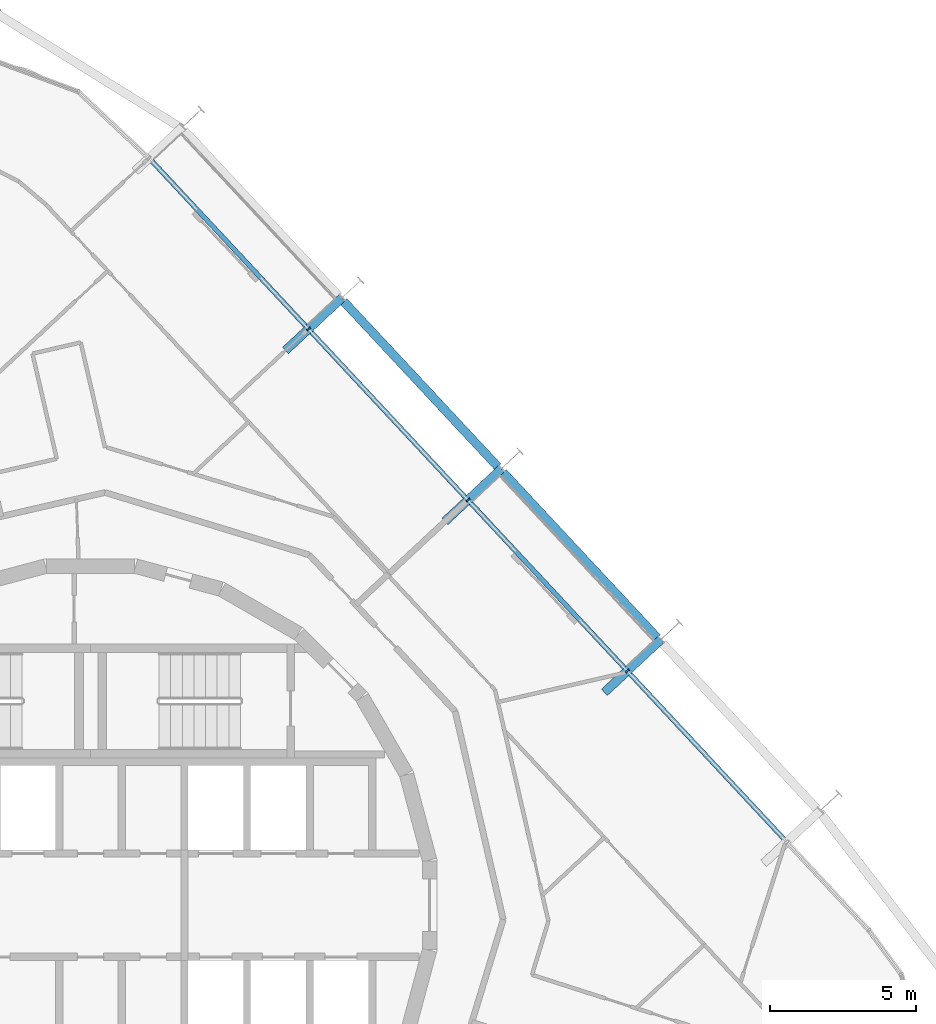
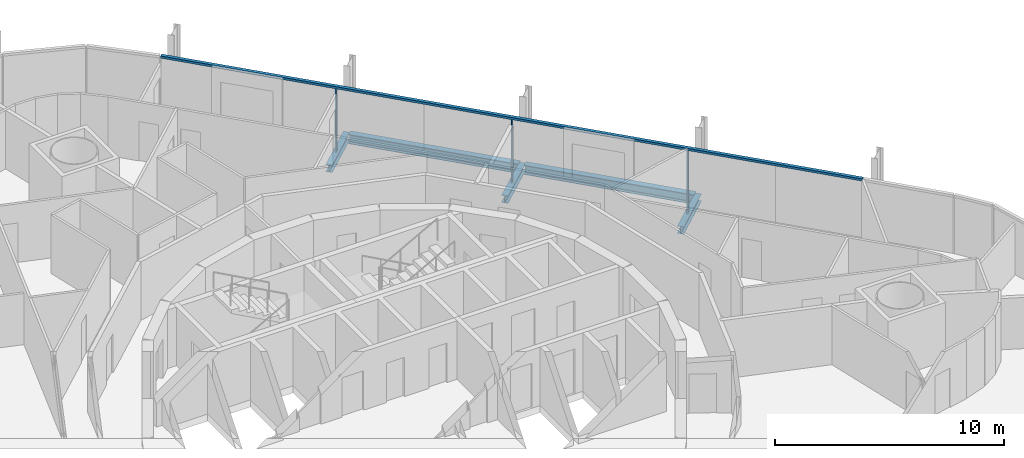
# One storey, part 9 of 18: 5 beams, 4 members, 1 element without a shape of its own.
"""IFC4 building model written with IfcOpenShell, lengths in metres."""

import ifcopenshell
import ifcopenshell.guid

model = None  # the IFC model being written
_history = None  # IfcOwnerHistory: only IFC2X3 demands one
_inside = {}  # id of a spatial element -> (the spatial element, [elements in it])
_under = {}  # id of a project, library or spatial element -> (it, [spatial elements below it])
_declared = {}  # id of a project -> (the project, [libraries it declares])
_typed = {}  # id of a type object -> (the type object, [elements of that type])
_made_of = {}  # id of a material, layer set ... -> (it, [elements and type objects made of it])


def new_model(schema):
    """Start an empty IFC model of exactly this schema.

    Asked for "IFC4X3", IfcOpenShell would pick the latest addendum, in which some entities
    have other attributes; the version numbers below select the first issue.
    IFC2X3 requires an IfcOwnerHistory on every rooted entity: one is made here for all.
    """
    global model, _history
    if schema == "IFC4X3":
        model = ifcopenshell.file(schema_version=(4, 3, 0, 0))
    else:
        model = ifcopenshell.file(schema=schema)
    _inside.clear()
    _under.clear()
    _declared.clear()
    _typed.clear()
    _made_of.clear()
    _history = None
    if model.schema == "IFC2X3":
        org = make("IfcOrganization", Name="unknown")
        user = make(
            "IfcPersonAndOrganization",
            ThePerson=make("IfcPerson", FamilyName="unknown"),
            TheOrganization=org,
        )
        app = make(
            "IfcApplication",
            ApplicationDeveloper=org,
            Version="unknown",
            ApplicationFullName="unknown",
            ApplicationIdentifier="unknown",
        )
        _history = make(
            "IfcOwnerHistory",
            OwningUser=user,
            OwningApplication=app,
            ChangeAction="ADDED",
            CreationDate=0,
        )
    return model


def make(cls, **values):
    """One entity of the class cls with the attributes given. An attribute that is None is left unset."""
    return model.create_entity(
        cls, **{name: value for name, value in values.items() if value is not None}
    )


def rooted(cls, **values):
    """An entity with a GlobalId (a new one), such as an element, a storey or a relation."""
    return make(cls, GlobalId=ifcopenshell.guid.new(), OwnerHistory=_history, **values)


def si_unit(unit_type, name, prefix=None):
    """IfcSIUnit, for example si_unit("LENGTHUNIT", "METRE", prefix="MILLI")."""
    return make("IfcSIUnit", UnitType=unit_type, Prefix=prefix, Name=name)


def assignment(units):
    """IfcUnitAssignment: the units of a project."""
    return None if units is None else make("IfcUnitAssignment", Units=units)


def point(xyz):
    """IfcCartesianPoint."""
    return None if xyz is None else make("IfcCartesianPoint", Coordinates=xyz)


def direction(xyz):
    """IfcDirection."""
    return None if xyz is None else make("IfcDirection", DirectionRatios=xyz)


def frame(location, z_axis=None, x_axis=None):
    """IfcAxis2Placement3D, a coordinate frame: its origin and axes. An axis left out is left unset."""
    return make(
        "IfcAxis2Placement3D",
        Location=point(location),
        Axis=direction(z_axis),
        RefDirection=direction(x_axis),
    )


def frame_2d(location, x_axis=None):
    """IfcAxis2Placement2D, a coordinate frame in the plane: its origin and x axis."""
    return make(
        "IfcAxis2Placement2D", Location=point(location), RefDirection=direction(x_axis)
    )


def origin():
    """The frame at (0, 0, 0) with its axes left unset."""
    return frame((0.0, 0.0, 0.0))


def origin_2d():
    """The frame at (0, 0) in the plane with its x axis left unset."""
    return frame_2d((0.0, 0.0))


def place(relative_to, where):
    """IfcLocalPlacement: puts the frame where relative to a parent placement (None: the world)."""
    return make(
        "IfcLocalPlacement", PlacementRelTo=relative_to, RelativePlacement=where
    )


def context(
    kind, dimensions, precision=None, world=None, true_north=None, identifier=None
):
    """IfcGeometricRepresentationContext, for example the 3D "Model" context."""
    return make(
        "IfcGeometricRepresentationContext",
        ContextIdentifier=identifier,
        ContextType=kind,
        CoordinateSpaceDimension=dimensions,
        Precision=precision,
        WorldCoordinateSystem=world,
        TrueNorth=true_north,
    )


def subcontext(parent, identifier, kind, view, scale=None):
    """IfcGeometricRepresentationSubContext, for example "Body" below "Model"."""
    return make(
        "IfcGeometricRepresentationSubContext",
        ContextIdentifier=identifier,
        ContextType=kind,
        ParentContext=parent,
        TargetScale=scale,
        TargetView=view,
    )


def project(units=None, contexts=None):
    """IfcProject with its units and contexts."""
    return rooted(
        "IfcProject",
        Name="project",
        RepresentationContexts=contexts,
        UnitsInContext=assignment(units),
    )


def spatial(cls, under=None, at=None, **own):
    """A site, building, storey or space (cls), placed at a placement, below another one or the project."""
    s = rooted(cls, ObjectPlacement=at, **own)
    if under is not None:
        _under.setdefault(under.id(), (under, []))[1].append(s)
    return s


def profile(cls, at=None, kind="AREA", **sizes):
    """A parametric profile (cls). Its sizes go by their IFC names, for example OverallWidth=200.0."""
    return make(cls, ProfileType=kind, Position=at, **sizes)


def rectangle(**sizes):
    """IfcRectangleProfileDef."""
    return profile("IfcRectangleProfileDef", **sizes)


def i_section(**sizes):
    """IfcIShapeProfileDef."""
    return profile("IfcIShapeProfileDef", **sizes)


def extrude(swept, where, along, depth):
    """IfcExtrudedAreaSolid: the profile swept, set in the frame where, extruded along a direction by depth."""
    return make(
        "IfcExtrudedAreaSolid",
        SweptArea=swept,
        Position=where,
        ExtrudedDirection=direction(along),
        Depth=depth,
    )


def shape(context_of_items, identifier, shape_type, items):
    """IfcShapeRepresentation: the items that make up one representation, for example the "Body"."""
    return make(
        "IfcShapeRepresentation",
        ContextOfItems=context_of_items,
        RepresentationIdentifier=identifier,
        RepresentationType=shape_type,
        Items=items,
    )


def material(Name=None, Category=None):
    """IfcMaterial."""
    return make("IfcMaterial", Name=Name, Category=Category)


def layer(
    of_material, thickness, ventilated=None, Name=None, Category=None, Priority=None
):
    """IfcMaterialLayer: one layer of a wall or slab, of a material (None: an air gap)."""
    return make(
        "IfcMaterialLayer",
        Material=of_material,
        LayerThickness=thickness,
        IsVentilated=ventilated,
        Name=Name,
        Category=Category,
        Priority=Priority,
    )


def layer_set(layers, Name=None):
    """IfcMaterialLayerSet."""
    return make("IfcMaterialLayerSet", MaterialLayers=layers, LayerSetName=Name)


def material_profile(
    of_material, cross_section, Name=None, Category=None, Priority=None
):
    """IfcMaterialProfile: a cross section and its material."""
    return make(
        "IfcMaterialProfile",
        Name=Name,
        Material=of_material,
        Profile=cross_section,
        Priority=Priority,
        Category=Category,
    )


def profile_set(profiles, Name=None, composite=None):
    """IfcMaterialProfileSet."""
    return make(
        "IfcMaterialProfileSet",
        Name=Name,
        MaterialProfiles=profiles,
        CompositeProfile=composite,
    )


def made_of(thing, what):
    """Note that an element or type object is made of a material, layer set ...; save() writes the relation."""
    if what is not None:
        _made_of.setdefault(what.id(), (what, []))[1].append(thing)
    return thing


def type_object(cls, material=None, **own):
    """A type object (cls), such as IfcWallType, which elements share."""
    return made_of(rooted(cls, **own), material)


def element(
    cls,
    number,
    at=None,
    inside=None,
    cuts=None,
    type_object=None,
    material=None,
    context=None,
    identifier="Body",
    shape_type=None,
    held_by="IfcProductDefinitionShape",
    body=None,
    shapes=None,
    **own,
):
    """One element of the class cls, such as IfcWall. Its Tag is "e" and its number.

    at: its placement. inside: the storey or other place that contains it. cuts: it is an
    opening in that element (IfcRelVoidsElement). A single representation is given by context,
    identifier, shape_type and body (its items); several are given by shapes. held_by: the class
    of the entity that holds the representations. save() writes the other relations.
    """
    e = rooted(cls, Tag="e%d" % number, ObjectPlacement=at, **own)
    if body is not None:
        shapes = [shape(context, identifier, shape_type, body)]
    if shapes is not None:
        e.Representation = make(held_by, Representations=shapes)
    if inside is not None:
        _inside.setdefault(inside.id(), (inside, []))[1].append(e)
    if cuts is not None:
        rooted(
            "IfcRelVoidsElement", RelatingBuildingElement=cuts, RelatedOpeningElement=e
        )
    if type_object is not None:
        _typed.setdefault(type_object.id(), (type_object, []))[1].append(e)
    return made_of(e, material)


def aggregate(whole, parts):
    """IfcRelAggregates: a whole, such as a stair, and the parts it consists of."""
    return rooted("IfcRelAggregates", RelatingObject=whole, RelatedObjects=parts)


def save(model, path):
    """Write the relations noted so far, then the file.

    IfcRelAggregates (storeys below a building ...), IfcRelContainedInSpatialStructure (elements
    in a storey), IfcRelDefinesByType, IfcRelAssociatesMaterial and IfcRelDeclares: one each for
    every whole, place, type object, material and project.
    """
    for whole, parts in _under.values():
        aggregate(whole, parts)
    for where, things in _inside.values():
        rooted(
            "IfcRelContainedInSpatialStructure",
            RelatedElements=things,
            RelatingStructure=where,
        )
    for kind, things in _typed.values():
        rooted("IfcRelDefinesByType", RelatedObjects=things, RelatingType=kind)
    for what, things in _made_of.values():
        rooted("IfcRelAssociatesMaterial", RelatedObjects=things, RelatingMaterial=what)
    for by, libraries in _declared.values():
        rooted("IfcRelDeclares", RelatingContext=by, RelatedDefinitions=libraries)
    model.write(path)


model = new_model("IFC4")

# Units and contexts
model_context = context("Model", 3, precision=1e-05, world=origin(), true_north=direction((0.0, 1.0)))
body_context = subcontext(model_context, "Body", "Model", "MODEL_VIEW")
ifc_project = project(units=[si_unit("LENGTHUNIT", "METRE"), si_unit("AREAUNIT", "SQUARE_METRE"), si_unit("VOLUMEUNIT", "CUBIC_METRE"), si_unit("PLANEANGLEUNIT", "RADIAN"), si_unit("MASSUNIT", "GRAM", prefix="KILO")], contexts=[model_context])

# Site, building, storey
site_placement = place(None, origin())
site = spatial("IfcSite", under=ifc_project, at=site_placement, CompositionType="ELEMENT")
building_placement = place(site_placement, origin())
building = spatial("IfcBuilding", under=site, at=building_placement, Name="Spindle Arch Residences", CompositionType="ELEMENT")
storey_placement = place(building_placement, frame((0.0, 0.0, 120.39990234375)))
storey = spatial("IfcBuildingStorey", under=building, at=storey_placement, Name="L29", CompositionType="ELEMENT", Elevation=120.39990234375)

# Curtain wall, members
ifc_material_1 = material(Name="Aluminium bronze unitised frame with tinted glass", Category="aluminium")
ifc_layer = layer(ifc_material_1, 0.159912109375)
ifc_layer_set = layer_set([ifc_layer], Name="CW-C typical residential unitised wall")
curtain_wall_type = type_object("IfcCurtainWallType", Name="CW-C typical residential unitised wall", PredefinedType="NOTDEFINED", material=ifc_layer_set)
curtain_wall_placement = place(storey_placement, origin())
curtain_wall = element("IfcCurtainWall", 1, at=curtain_wall_placement, inside=storey, type_object=curtain_wall_type, Name="CW-C L29 run 2", PredefinedType="NOTDEFINED")
ifc_material_2 = material(Name="Aluminium bronze anodised mullion", Category="aluminium")
ifc_material_profile_1 = material_profile(ifc_material_2, rectangle(XDim=0.159912109375, YDim=0.06005859375, at=origin_2d()), Name="MU 60x160")
ifc_profile_set_1 = profile_set([ifc_material_profile_1], Name="Aluminium bronze anodised mullion")
member_type_1 = type_object("IfcMemberType", Name="Bronze mullion 60x160", PredefinedType="MULLION", material=ifc_profile_set_1)
member_1_placement = place(storey_placement, frame((18.437744140625, 8.044677734375, -0.3798828125), z_axis=(0.0, 0.0, 1.0), x_axis=(-0.731353701619, -0.681998360062, 0.0)))
member_1 = element("IfcMember", 2, at=member_1_placement, type_object=member_type_1, Name="CW-C mullion 06", PredefinedType="MULLION", context=body_context, shape_type="SweptSolid", body=[
    extrude(rectangle(XDim=0.159912109375, YDim=0.06005859375, at=origin_2d()), origin(), (0.0, 0.0, 1.0), 3.3798828125),
])
member_2_placement = place(storey_placement, frame((12.961669921875, 13.916748046875, -0.3798828125), z_axis=(0.0, 0.0, 1.0), x_axis=(-0.731353701619, -0.681998360062, 0.0)))
member_2 = element("IfcMember", 3, at=member_2_placement, type_object=member_type_1, Name="CW-C mullion 07", PredefinedType="MULLION", context=body_context, shape_type="SweptSolid", body=[
    extrude(rectangle(XDim=0.159912109375, YDim=0.06005859375, at=origin_2d()), origin(), (0.0, 0.0, 1.0), 3.3798828125),
])
member_3_placement = place(storey_placement, frame((7.48583984375, 19.7890625, -0.3798828125), z_axis=(0.0, 0.0, 1.0), x_axis=(-0.731353701619, -0.681998360062, 0.0)))
member_3 = element("IfcMember", 4, at=member_3_placement, type_object=member_type_1, Name="CW-C mullion 08", PredefinedType="MULLION", context=body_context, shape_type="SweptSolid", body=[
    extrude(rectangle(XDim=0.159912109375, YDim=0.06005859375, at=origin_2d()), origin(), (0.0, 0.0, 1.0), 3.3798828125),
])
ifc_material_3 = material(Name="Aluminium bronze anodised transom", Category="aluminium")
ifc_material_profile_2 = material_profile(ifc_material_3, rectangle(XDim=0.159912109375, YDim=0.1201171875, at=origin_2d()), Name="TR 120x160")
ifc_profile_set_2 = profile_set([ifc_material_profile_2], Name="Aluminium bronze anodised transom")
member_type_2 = type_object("IfcMemberType", Name="Bronze transom 120x160", PredefinedType="USERDEFINED", material=ifc_profile_set_2)
member_4_placement = place(storey_placement, frame((23.89306640625, 2.1943359375, 3.06005859375), z_axis=(-0.681996633995, 0.731355311199, 0.0), x_axis=(-0.731355311199, -0.681996633995, 0.0)))
member_4 = element("IfcMember", 5, at=member_4_placement, type_object=member_type_2, Name="CW-C transom 00", ObjectType="TRANSOM", PredefinedType="USERDEFINED", context=body_context, shape_type="SweptSolid", body=[
    extrude(rectangle(XDim=0.159912109375, YDim=0.1201171875, at=origin_2d()), origin(), (0.0, 0.0, 1.0), 32.056640625),
])
aggregate(curtain_wall, [member_4, member_1, member_2, member_3])

# Beams
ifc_material_4 = material(Name="Steel S460ML, intumescent coating R 120", Category="steel")
ifc_material_profile_3 = material_profile(ifc_material_4, i_section(OverallWidth=0.300048828125, OverallDepth=0.5, WebThickness=0.014404296875, FlangeThickness=0.028076171875, FilletRadius=0.027099609375, at=origin_2d()), Name="HEB 500")
ifc_profile_set_3 = profile_set([ifc_material_profile_3], Name="Steel S460ML, intumescent coating R 120")
beam_type_1 = type_object("IfcBeamType", Name="Exoskeleton edge beam HEB 500", PredefinedType="BEAM", material=ifc_profile_set_3)
beam_1_placement = place(storey_placement, frame((19.468017578125, 9.18310546875, -0.6298828125), z_axis=(-0.681992374481, 0.731359283218, 0.0), x_axis=(-0.731359283218, -0.681992374481, 0.0)))
element("IfcBeam", 6, at=beam_1_placement, inside=storey, type_object=beam_type_1, Name="Exoskeleton edge beam 7", PredefinedType="BEAM", context=body_context, shape_type="SweptSolid", body=[
    extrude(i_section(OverallWidth=0.300048828125, OverallDepth=0.5, WebThickness=0.014404296875, FlangeThickness=0.028076171875, FilletRadius=0.027099609375, at=origin_2d()), origin(), (0.0, 0.0, 1.0), 7.769287109375),
])
beam_2_placement = place(storey_placement, frame((13.9921875, 15.055419921875, -0.6298828125), z_axis=(-0.682008048331, 0.731344667042, 0.0), x_axis=(-0.731344667042, -0.682008048331, 0.0)))
element("IfcBeam", 7, at=beam_2_placement, inside=storey, type_object=beam_type_1, Name="Exoskeleton edge beam 8", PredefinedType="BEAM", context=body_context, shape_type="SweptSolid", body=[
    extrude(i_section(OverallWidth=0.300048828125, OverallDepth=0.5, WebThickness=0.014404296875, FlangeThickness=0.028076171875, FilletRadius=0.027099609375, at=origin_2d()), origin(), (0.0, 0.0, 1.0), 7.76904296875),
])
ifc_material_5 = material(Name="Steel S460ML, intumescent coating R 120", Category="steel")
ifc_material_profile_4 = material_profile(ifc_material_5, i_section(OverallWidth=0.300048828125, OverallDepth=0.389892578125, WebThickness=0.010986328125, FlangeThickness=0.01904296875, FilletRadius=0.027099609375, at=origin_2d()), Name="HEA 400")
ifc_profile_set_4 = profile_set([ifc_material_profile_4], Name="Steel S460ML, intumescent coating R 120")
beam_type_2 = type_object("IfcBeamType", Name="Floor outrigger HEA 400", PredefinedType="BEAM", material=ifc_profile_set_4)
beam_3_placement = place(storey_placement, frame((19.5859375, 9.115478515625, -0.574951171875), z_axis=(-0.731364603864, -0.681986668649, 0.0), x_axis=(0.681986668649, -0.731364603864, 0.0)))
element("IfcBeam", 8, at=beam_3_placement, inside=storey, type_object=beam_type_2, Name="Floor outrigger 7", PredefinedType="BEAM", context=body_context, shape_type="SweptSolid", body=[
    extrude(i_section(OverallWidth=0.300048828125, OverallDepth=0.389892578125, WebThickness=0.010986328125, FlangeThickness=0.01904296875, FilletRadius=0.027099609375, at=origin_2d()), origin(), (0.0, 0.0, 1.0), 2.650146484375),
])
for number, where, z_axis, x_axis, name in (
    (9, (14.110107421875, 14.987548828125, -0.574951171875), (-0.731410554291, -0.681937387941, 0.0), (0.681937387941, -0.731410554291, 0.0), "Floor outrigger 8"),
    (10, (8.634033203125, 20.859619140625, -0.574951171875), (-0.731367706511, -0.681983341345, 0.0), (0.681983341345, -0.731367706511, 0.0), "Floor outrigger 9"),
):
    element("IfcBeam", number, at=place(storey_placement, frame(where, z_axis=z_axis, x_axis=x_axis)), inside=storey, type_object=beam_type_2, Name=name, PredefinedType="BEAM", context=body_context, shape_type="SweptSolid", body=[
        extrude(i_section(OverallWidth=0.300048828125, OverallDepth=0.389892578125, WebThickness=0.010986328125, FlangeThickness=0.01904296875, FilletRadius=0.027099609375, at=origin_2d()), origin(), (0.0, 0.0, 1.0), 2.64990234375),
    ])

save(model, "model.ifc")
